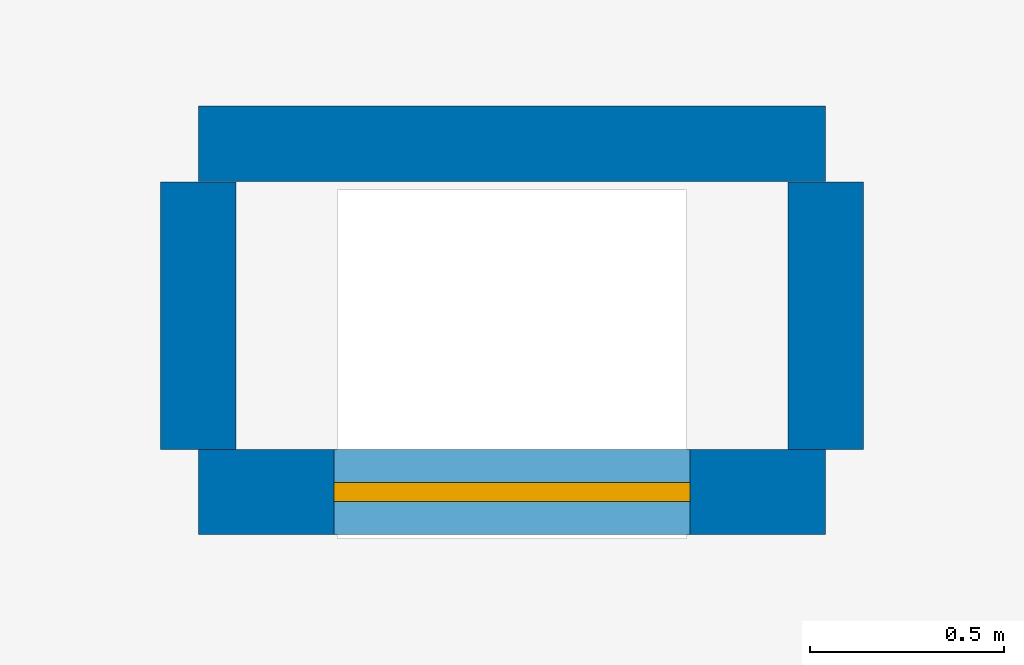
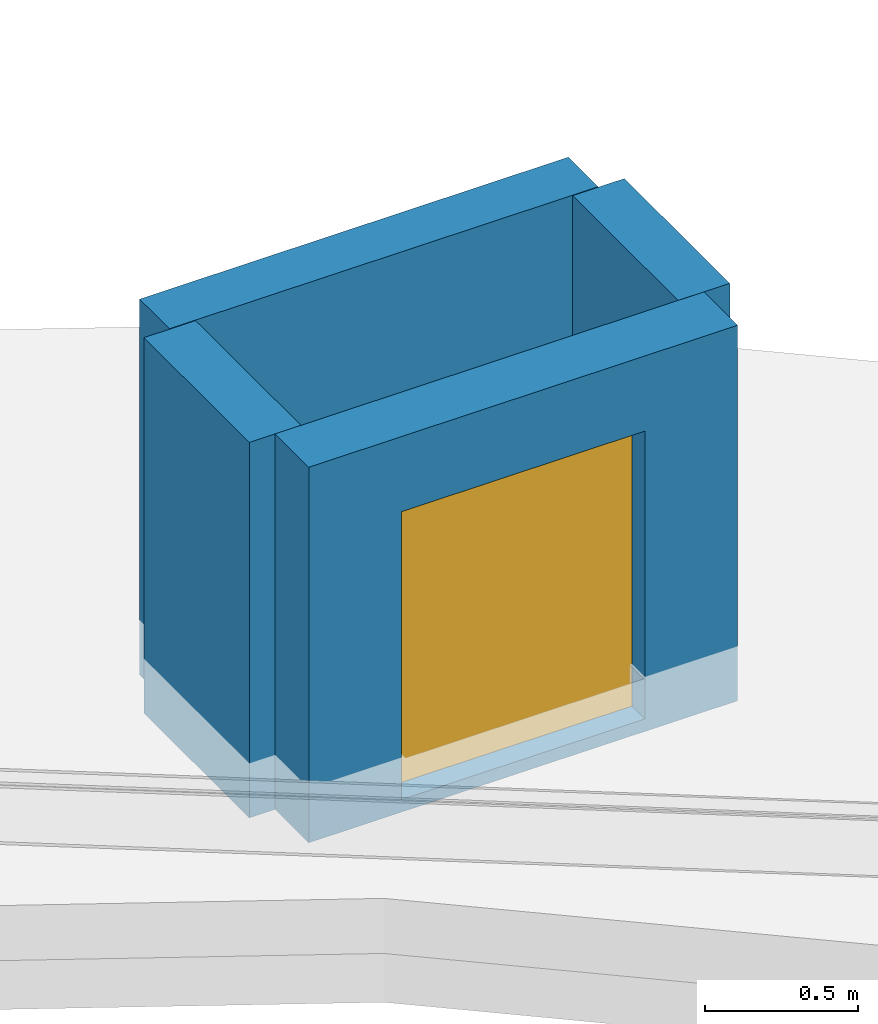
# One storey, part 35 of 58: 4 walls, 1 door, 1 opening.
"""IFC4 building model written with IfcOpenShell, lengths in metres."""

from ifc_helpers import new_model, si_unit, direction, frame, frame_2d, origin, place, context, subcontext, project, spatial, rectangle, extrude, material, layer, layer_set, type_object, element, fill, save


model = new_model("IFC4")

# Units and contexts
model_context = context("Model", 3, precision=1e-05, world=origin(), true_north=direction((0.0, 1.0)))
body_context = subcontext(model_context, "Body", "Model", "MODEL_VIEW")
ifc_project = project(units=[si_unit("LENGTHUNIT", "METRE"), si_unit("AREAUNIT", "SQUARE_METRE"), si_unit("VOLUMEUNIT", "CUBIC_METRE"), si_unit("PLANEANGLEUNIT", "RADIAN"), si_unit("MASSUNIT", "GRAM", prefix="KILO")], contexts=[model_context])

# Site, building, storey
site_placement = place(None, origin())
site = spatial("IfcSite", under=ifc_project, at=site_placement, CompositionType="ELEMENT")
building_placement = place(site_placement, origin())
building = spatial("IfcBuilding", under=site, at=building_placement, Name="Aldenvaro Health Centre", CompositionType="ELEMENT")
storey_placement = place(building_placement, frame((0.0, 0.0, 8.75)))
storey = spatial("IfcBuildingStorey", under=building, at=storey_placement, Name="L02", CompositionType="ELEMENT", Elevation=8.75)

# Walls
ifc_material_1 = material(Name="Concrete f'c 35 MPa", Category="concrete")
ifc_layer_1 = layer(ifc_material_1, 0.195068359375, Name="Concrete f'c 35 MPa", Category="concrete")
ifc_layer_set_1 = layer_set([ifc_layer_1], Name="Concrete f'c 35 MPa")
wall_type_1 = type_object("IfcWallType", Name="WL-PAR-195", PredefinedType="PARAPET", material=ifc_layer_set_1)
wall_1_placement = place(storey_placement, frame((95.77001953125, 34.64990234375, 0.195068359375), z_axis=(0.0, 0.0, 1.0), x_axis=(1.0, 0.0, 0.0)))
element("IfcWall", 1, at=wall_1_placement, inside=storey, type_object=wall_type_1, Name="D1 Roof Access Curb Wall N-2", PredefinedType="PARAPET", context=body_context, shape_type="SweptSolid", body=[
    extrude(rectangle(XDim=1.619873046875, YDim=0.195068359375, at=frame_2d((0.81005859375, 0.0))), origin(), (0.0, 0.0, 1.0), 1.5),
])
for number, where, z_axis, x_axis, name in (
    (2, (95.77001953125, 33.860107421875, 0.195068359375), (0.0, 0.0, 1.0), (0.0, 1.0, 0.0), "D1 Roof Access Curb Wall W-2"),
    (3, (97.389892578125, 34.550048828125, 0.195068359375), (0.0, 0.0, 1.0), (0.0, -1.0, 0.0), "D1 Roof Access Curb Wall E-2"),
):
    element("IfcWall", number, at=place(storey_placement, frame(where, z_axis=z_axis, x_axis=x_axis)), inside=storey, type_object=wall_type_1, Name=name, PredefinedType="PARAPET", context=body_context, shape_type="SweptSolid", body=[
        extrude(rectangle(XDim=0.68994140625, YDim=0.195068359375, at=frame_2d((0.344970703125, 0.0))), origin(), (0.0, 0.0, 1.0), 1.5),
    ])

# Wall, opening, door
ifc_layer_2 = layer(ifc_material_1, 0.219970703125, Name="Concrete f'c 35 MPa", Category="concrete")
ifc_layer_set_2 = layer_set([ifc_layer_2], Name="Concrete f'c 35 MPa")
wall_type_2 = type_object("IfcWallType", Name="WL-PAR-220", PredefinedType="PARAPET", material=ifc_layer_set_2)
wall_2_placement = place(storey_placement, frame((97.389892578125, 33.75, 0.195068359375), z_axis=(0.0, 0.0, 1.0), x_axis=(-1.0, 0.0, 0.0)))
wall_2 = element("IfcWall", 4, at=wall_2_placement, inside=storey, type_object=wall_type_2, Name="D1 Roof Access Curb Wall S-2", PredefinedType="PARAPET", context=body_context, shape_type="SweptSolid", body=[
    extrude(rectangle(XDim=1.619873046875, YDim=0.219970703125, at=frame_2d((0.81005859375, 0.0))), origin(), (0.0, 0.0, 1.0), 1.5),
])
opening_placement = place(wall_2_placement, frame((0.35009765625, 0.0, 0.050048828125)))
opening = element("IfcOpeningElement", 5, at=opening_placement, cuts=wall_2, Name="Opening HT-02", PredefinedType="OPENING", context=body_context, shape_type="SweptSolid", body=[
    extrude(rectangle(XDim=0.919921875, YDim=1.14990234375, at=frame_2d((0.4599609375, 0.574951171875))), frame((0.0, 0.1201171875, 0.0), z_axis=(0.0, -1.0, 0.0), x_axis=(1.0, 0.0, 0.0)), (0.0, 0.0, 1.0), 0.239990234375),
])
ifc_material_2 = material(Name="Insulated Powder-Coated Aluminium", Category="aluminium")
door_type = type_object("IfcDoorType", Name="DR-TRAP-02", OperationType="NOTDEFINED", PredefinedType="TRAPDOOR", material=ifc_material_2)
door_placement = place(opening_placement, origin())
door = element("IfcDoor", 6, at=door_placement, inside=storey, type_object=door_type, Name="D1 Roof Maintenance Access Hatch 2", OperationType="SINGLE_SWING_RIGHT", OverallHeight=1.14990234375, OverallWidth=0.919921875, PredefinedType="TRAPDOOR", context=body_context, shape_type="SweptSolid", body=[
    extrude(rectangle(XDim=0.919921875, YDim=1.14990234375, at=frame_2d((0.4599609375, 0.574951171875))), frame((0.0, 0.02490234375, 0.0), z_axis=(0.0, -1.0, 0.0), x_axis=(1.0, 0.0, 0.0)), (0.0, 0.0, 1.0), 0.050048828125),
])
fill(opening, door)

save(model, "model.ifc")
